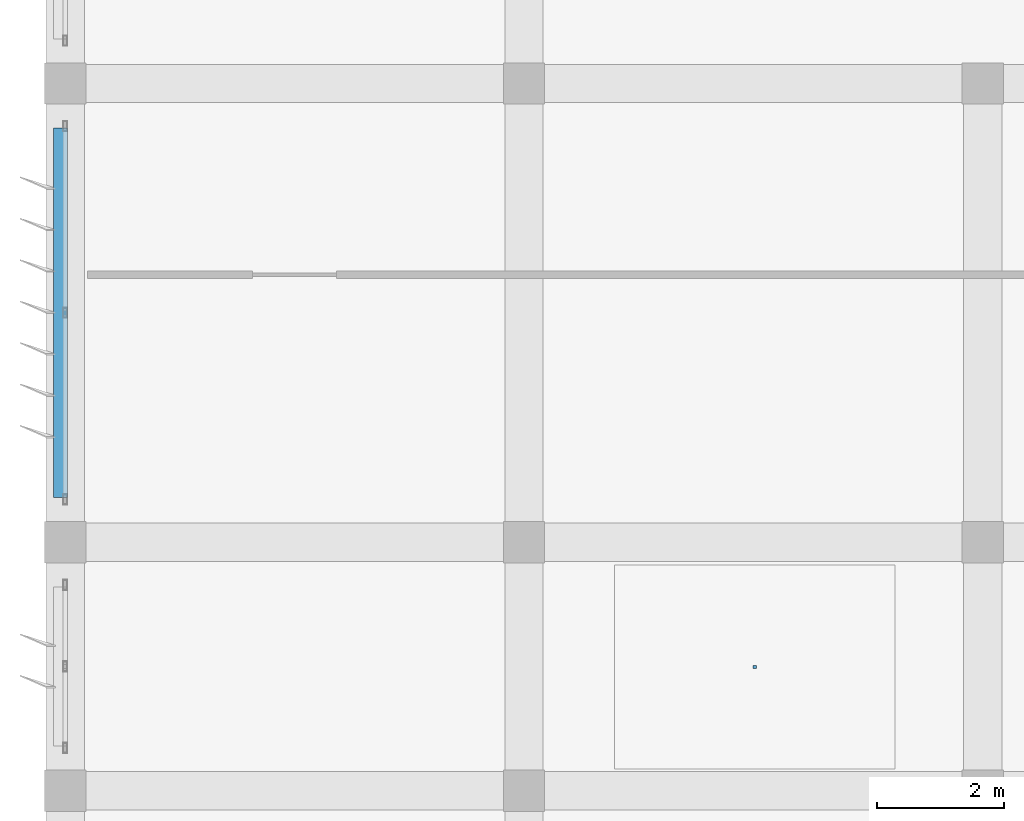
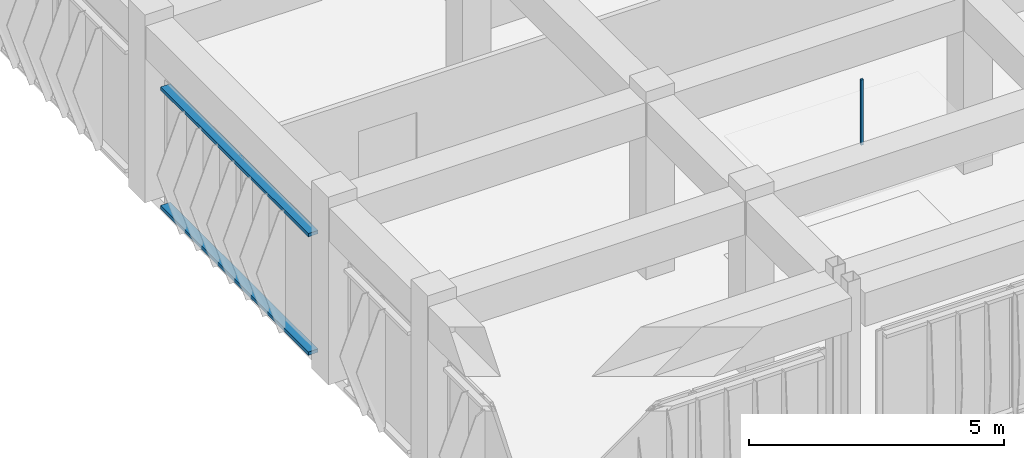
# One storey, part 39 of 56: 3 discrete accessories.
"""IFC4 building model written with IfcOpenShell, lengths in metres."""

import ifcopenshell
import ifcopenshell.guid

model = None  # the IFC model being written
_history = None  # IfcOwnerHistory: only IFC2X3 demands one
_inside = {}  # id of a spatial element -> (the spatial element, [elements in it])
_under = {}  # id of a project, library or spatial element -> (it, [spatial elements below it])
_declared = {}  # id of a project -> (the project, [libraries it declares])
_typed = {}  # id of a type object -> (the type object, [elements of that type])
_made_of = {}  # id of a material, layer set ... -> (it, [elements and type objects made of it])


def new_model(schema):
    """Start an empty IFC model of exactly this schema.

    Asked for "IFC4X3", IfcOpenShell would pick the latest addendum, in which some entities
    have other attributes; the version numbers below select the first issue.
    IFC2X3 requires an IfcOwnerHistory on every rooted entity: one is made here for all.
    """
    global model, _history
    if schema == "IFC4X3":
        model = ifcopenshell.file(schema_version=(4, 3, 0, 0))
    else:
        model = ifcopenshell.file(schema=schema)
    _inside.clear()
    _under.clear()
    _declared.clear()
    _typed.clear()
    _made_of.clear()
    _history = None
    if model.schema == "IFC2X3":
        org = make("IfcOrganization", Name="unknown")
        user = make(
            "IfcPersonAndOrganization",
            ThePerson=make("IfcPerson", FamilyName="unknown"),
            TheOrganization=org,
        )
        app = make(
            "IfcApplication",
            ApplicationDeveloper=org,
            Version="unknown",
            ApplicationFullName="unknown",
            ApplicationIdentifier="unknown",
        )
        _history = make(
            "IfcOwnerHistory",
            OwningUser=user,
            OwningApplication=app,
            ChangeAction="ADDED",
            CreationDate=0,
        )
    return model


def make(cls, **values):
    """One entity of the class cls with the attributes given. An attribute that is None is left unset."""
    return model.create_entity(
        cls, **{name: value for name, value in values.items() if value is not None}
    )


def rooted(cls, **values):
    """An entity with a GlobalId (a new one), such as an element, a storey or a relation."""
    return make(cls, GlobalId=ifcopenshell.guid.new(), OwnerHistory=_history, **values)


def si_unit(unit_type, name, prefix=None):
    """IfcSIUnit, for example si_unit("LENGTHUNIT", "METRE", prefix="MILLI")."""
    return make("IfcSIUnit", UnitType=unit_type, Prefix=prefix, Name=name)


def assignment(units):
    """IfcUnitAssignment: the units of a project."""
    return None if units is None else make("IfcUnitAssignment", Units=units)


def point(xyz):
    """IfcCartesianPoint."""
    return None if xyz is None else make("IfcCartesianPoint", Coordinates=xyz)


def direction(xyz):
    """IfcDirection."""
    return None if xyz is None else make("IfcDirection", DirectionRatios=xyz)


def frame(location, z_axis=None, x_axis=None):
    """IfcAxis2Placement3D, a coordinate frame: its origin and axes. An axis left out is left unset."""
    return make(
        "IfcAxis2Placement3D",
        Location=point(location),
        Axis=direction(z_axis),
        RefDirection=direction(x_axis),
    )


def frame_2d(location, x_axis=None):
    """IfcAxis2Placement2D, a coordinate frame in the plane: its origin and x axis."""
    return make(
        "IfcAxis2Placement2D", Location=point(location), RefDirection=direction(x_axis)
    )


def origin():
    """The frame at (0, 0, 0) with its axes left unset."""
    return frame((0.0, 0.0, 0.0))


def origin_2d():
    """The frame at (0, 0) in the plane with its x axis left unset."""
    return frame_2d((0.0, 0.0))


def place(relative_to, where):
    """IfcLocalPlacement: puts the frame where relative to a parent placement (None: the world)."""
    return make(
        "IfcLocalPlacement", PlacementRelTo=relative_to, RelativePlacement=where
    )


def context(
    kind, dimensions, precision=None, world=None, true_north=None, identifier=None
):
    """IfcGeometricRepresentationContext, for example the 3D "Model" context."""
    return make(
        "IfcGeometricRepresentationContext",
        ContextIdentifier=identifier,
        ContextType=kind,
        CoordinateSpaceDimension=dimensions,
        Precision=precision,
        WorldCoordinateSystem=world,
        TrueNorth=true_north,
    )


def subcontext(parent, identifier, kind, view, scale=None):
    """IfcGeometricRepresentationSubContext, for example "Body" below "Model"."""
    return make(
        "IfcGeometricRepresentationSubContext",
        ContextIdentifier=identifier,
        ContextType=kind,
        ParentContext=parent,
        TargetScale=scale,
        TargetView=view,
    )


def project(units=None, contexts=None):
    """IfcProject with its units and contexts."""
    return rooted(
        "IfcProject",
        Name="project",
        RepresentationContexts=contexts,
        UnitsInContext=assignment(units),
    )


def spatial(cls, under=None, at=None, **own):
    """A site, building, storey or space (cls), placed at a placement, below another one or the project."""
    s = rooted(cls, ObjectPlacement=at, **own)
    if under is not None:
        _under.setdefault(under.id(), (under, []))[1].append(s)
    return s


def profile(cls, at=None, kind="AREA", **sizes):
    """A parametric profile (cls). Its sizes go by their IFC names, for example OverallWidth=200.0."""
    return make(cls, ProfileType=kind, Position=at, **sizes)


def rectangle(**sizes):
    """IfcRectangleProfileDef."""
    return profile("IfcRectangleProfileDef", **sizes)


def extrude(swept, where, along, depth):
    """IfcExtrudedAreaSolid: the profile swept, set in the frame where, extruded along a direction by depth."""
    return make(
        "IfcExtrudedAreaSolid",
        SweptArea=swept,
        Position=where,
        ExtrudedDirection=direction(along),
        Depth=depth,
    )


def shape(context_of_items, identifier, shape_type, items):
    """IfcShapeRepresentation: the items that make up one representation, for example the "Body"."""
    return make(
        "IfcShapeRepresentation",
        ContextOfItems=context_of_items,
        RepresentationIdentifier=identifier,
        RepresentationType=shape_type,
        Items=items,
    )


def material(Name=None, Category=None):
    """IfcMaterial."""
    return make("IfcMaterial", Name=Name, Category=Category)


def made_of(thing, what):
    """Note that an element or type object is made of a material, layer set ...; save() writes the relation."""
    if what is not None:
        _made_of.setdefault(what.id(), (what, []))[1].append(thing)
    return thing


def type_object(cls, material=None, **own):
    """A type object (cls), such as IfcWallType, which elements share."""
    return made_of(rooted(cls, **own), material)


def element(
    cls,
    number,
    at=None,
    inside=None,
    cuts=None,
    type_object=None,
    material=None,
    context=None,
    identifier="Body",
    shape_type=None,
    held_by="IfcProductDefinitionShape",
    body=None,
    shapes=None,
    **own,
):
    """One element of the class cls, such as IfcWall. Its Tag is "e" and its number.

    at: its placement. inside: the storey or other place that contains it. cuts: it is an
    opening in that element (IfcRelVoidsElement). A single representation is given by context,
    identifier, shape_type and body (its items); several are given by shapes. held_by: the class
    of the entity that holds the representations. save() writes the other relations.
    """
    e = rooted(cls, Tag="e%d" % number, ObjectPlacement=at, **own)
    if body is not None:
        shapes = [shape(context, identifier, shape_type, body)]
    if shapes is not None:
        e.Representation = make(held_by, Representations=shapes)
    if inside is not None:
        _inside.setdefault(inside.id(), (inside, []))[1].append(e)
    if cuts is not None:
        rooted(
            "IfcRelVoidsElement", RelatingBuildingElement=cuts, RelatedOpeningElement=e
        )
    if type_object is not None:
        _typed.setdefault(type_object.id(), (type_object, []))[1].append(e)
    return made_of(e, material)


def aggregate(whole, parts):
    """IfcRelAggregates: a whole, such as a stair, and the parts it consists of."""
    return rooted("IfcRelAggregates", RelatingObject=whole, RelatedObjects=parts)


def save(model, path):
    """Write the relations noted so far, then the file.

    IfcRelAggregates (storeys below a building ...), IfcRelContainedInSpatialStructure (elements
    in a storey), IfcRelDefinesByType, IfcRelAssociatesMaterial and IfcRelDeclares: one each for
    every whole, place, type object, material and project.
    """
    for whole, parts in _under.values():
        aggregate(whole, parts)
    for where, things in _inside.values():
        rooted(
            "IfcRelContainedInSpatialStructure",
            RelatedElements=things,
            RelatingStructure=where,
        )
    for kind, things in _typed.values():
        rooted("IfcRelDefinesByType", RelatedObjects=things, RelatingType=kind)
    for what, things in _made_of.values():
        rooted("IfcRelAssociatesMaterial", RelatedObjects=things, RelatingMaterial=what)
    for by, libraries in _declared.values():
        rooted("IfcRelDeclares", RelatingContext=by, RelatedDefinitions=libraries)
    model.write(path)


model = new_model("IFC4")

# Units and contexts
model_context = context("Model", 3, precision=1e-05, world=origin(), true_north=direction((0.0, 1.0)))
body_context = subcontext(model_context, "Body", "Model", "MODEL_VIEW")
ifc_project = project(units=[si_unit("LENGTHUNIT", "METRE"), si_unit("AREAUNIT", "SQUARE_METRE"), si_unit("VOLUMEUNIT", "CUBIC_METRE"), si_unit("PLANEANGLEUNIT", "RADIAN"), si_unit("MASSUNIT", "GRAM", prefix="KILO")], contexts=[model_context])

# Site, building, storey
site_placement = place(None, origin())
site = spatial("IfcSite", under=ifc_project, at=site_placement, CompositionType="ELEMENT")
building_placement = place(site_placement, origin())
building = spatial("IfcBuilding", under=site, at=building_placement, Name="Kazehaya Institute of Natural Sciences", CompositionType="ELEMENT")
storey_placement = place(building_placement, frame((0.0, 0.0, 28.800048828125)))
storey = spatial("IfcBuildingStorey", under=building, at=storey_placement, Name="L06", CompositionType="ELEMENT", Elevation=28.800048828125)

# Discrete accessories
ifc_material_1 = material(Name="Aluminium alloy A6063S-T5", Category="aluminium")
discrete_accessory_type_1 = type_object("IfcDiscreteAccessoryType", Name="ACC-BRK-01", PredefinedType="BRACKET", material=ifc_material_1)
for number, where, z_axis, x_axis, name in (
    (1, (54.52490234375, 17.60009765625, 0.039794921875), (0.0, 0.0, 1.0), (0.0, 1.0, 0.0), "L06 fin support outrigger rail 1"),
    (2, (54.52490234375, 17.60009765625, 2.8798828125), (0.0, 0.0, 1.0), (0.0, 1.0, 0.0), "L06 fin support outrigger rail 2"),
):
    element("IfcDiscreteAccessory", number, at=place(storey_placement, frame(where, z_axis=z_axis, x_axis=x_axis)), inside=storey, type_object=discrete_accessory_type_1, Name=name, PredefinedType="BRACKET", context=body_context, shape_type="SweptSolid", body=[
        extrude(rectangle(XDim=5.800048828125, YDim=0.219970703125, at=origin_2d()), origin(), (0.0, 0.0, 1.0), 0.080078125),
    ])
ifc_material_2 = material(Name="Structural steel SN490B", Category="steel")
discrete_accessory_type_2 = type_object("IfcDiscreteAccessoryType", Name="ACC-CLG-HGR", PredefinedType="BRACKET", material=ifc_material_2)
discrete_accessory_placement = place(storey_placement, frame((65.421875, 12.04052734375, 2.8525390625), z_axis=(0.0, 0.0, 1.0), x_axis=(1.0, 0.0, 0.0)))
element("IfcDiscreteAccessory", 3, at=discrete_accessory_placement, inside=storey, type_object=discrete_accessory_type_2, Name="L06 ceiling suspension hanger 56", PredefinedType="BRACKET", context=body_context, shape_type="SweptSolid", body=[
    extrude(rectangle(XDim=0.050048828125, YDim=0.050048828125, at=origin_2d()), origin(), (0.0, 0.0, 1.0), 1.5673828125),
])

save(model, "model.ifc")
